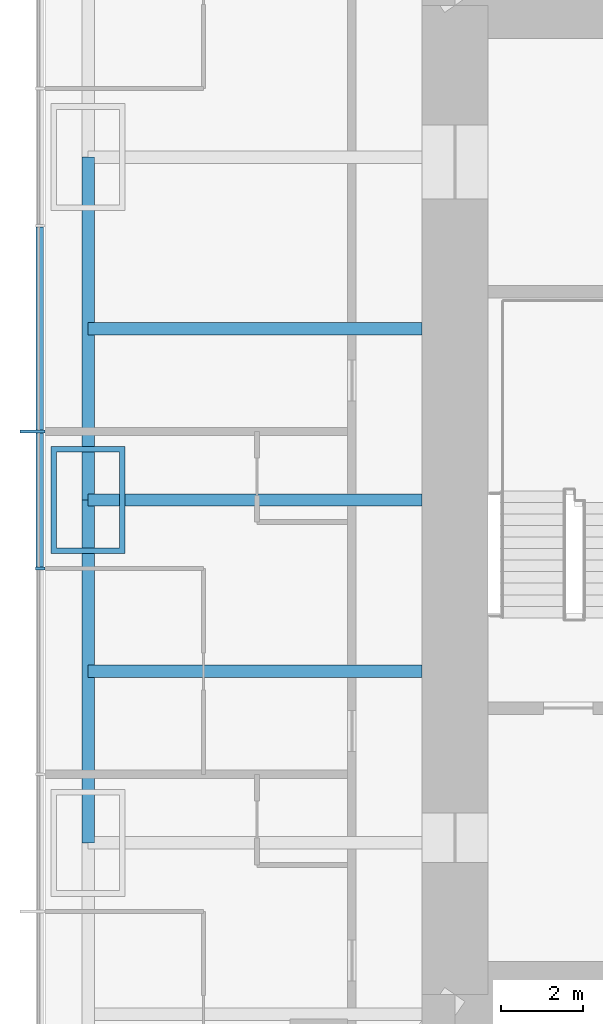
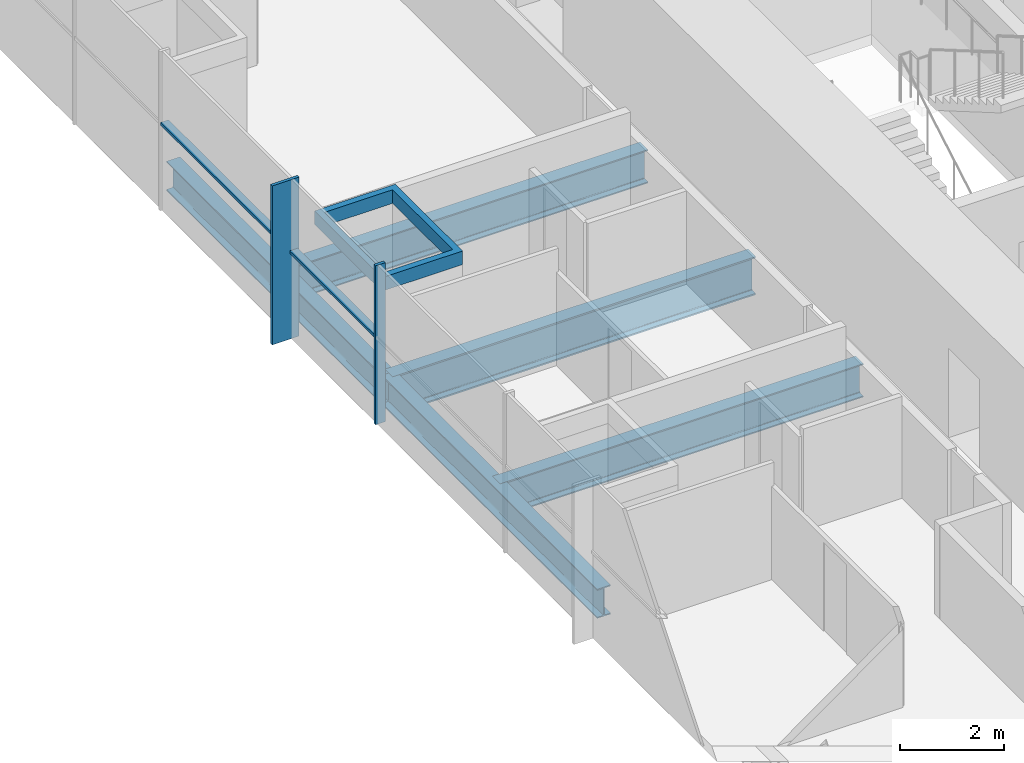
# One storey, part 3 of 13: 5 beams, 5 members, 1 element without a shape of its own.
"""IFC4 building model written with IfcOpenShell, lengths in metres."""

from ifc_helpers import new_model, si_unit, direction, frame, origin, origin_2d, place, context, subcontext, project, spatial, rectangle, hollow_rectangle, i_section, extrude, material, material_profile, profile_set, type_object, element, aggregate, save


model = new_model("IFC4")

# Units and contexts
model_context = context("Model", 3, precision=1e-05, world=origin(), true_north=direction((0.0, 1.0)))
body_context = subcontext(model_context, "Body", "Model", "MODEL_VIEW")
ifc_project = project(units=[si_unit("LENGTHUNIT", "METRE"), si_unit("AREAUNIT", "SQUARE_METRE"), si_unit("VOLUMEUNIT", "CUBIC_METRE"), si_unit("PLANEANGLEUNIT", "RADIAN"), si_unit("MASSUNIT", "GRAM", prefix="KILO")], contexts=[model_context])

# Site, building, storey
site_placement = place(None, origin())
site = spatial("IfcSite", under=ifc_project, at=site_placement, CompositionType="ELEMENT")
building_placement = place(site_placement, origin())
building = spatial("IfcBuilding", under=site, at=building_placement, Name="Khuree Lantern Residences", CompositionType="ELEMENT")
storey_placement = place(building_placement, frame((0.0, 0.0, 274.5)))
storey = spatial("IfcBuildingStorey", under=building, at=storey_placement, Name="L69", CompositionType="ELEMENT", Elevation=274.5)

# Beams
ifc_material_1 = material(Name="Steel S355", Category="steel")
ifc_material_profile_1 = material_profile(ifc_material_1, i_section(OverallWidth=0.300048828125, OverallDepth=0.7900390625, WebThickness=0.014892578125, FlangeThickness=0.028076171875, FilletRadius=0.030029296875, at=origin_2d()), Name="HE 800 A")
ifc_profile_set_1 = profile_set([ifc_material_profile_1], Name="Steel S355")
beam_type_1 = type_object("IfcBeamType", Name="B-35A SECONDARY BEAM HE 800 A", PredefinedType="BEAM", material=ifc_profile_set_1)
for number, where, z_axis, x_axis, name in (
    (1, (-24.39990234375, -4.159912109375, -0.64501953125), (1.0, 0.0, 0.0), (0.0, 1.0, 0.0), "Secondary beam W3"),
    (2, (-24.39990234375, 4.159912109375, -0.64501953125), (1.0, 0.0, 0.0), (0.0, 1.0, 0.0), "Secondary beam W4"),
):
    element("IfcBeam", number, at=place(storey_placement, frame(where, z_axis=z_axis, x_axis=x_axis)), inside=storey, type_object=beam_type_1, Name=name, PredefinedType="BEAM", context=body_context, shape_type="SweptSolid", body=[
        extrude(i_section(OverallWidth=0.300048828125, OverallDepth=0.7900390625, WebThickness=0.014892578125, FlangeThickness=0.028076171875, FilletRadius=0.030029296875, at=origin_2d()), origin(), (0.0, 0.0, 1.0), 8.099853515625),
    ])
ifc_material_profile_2 = material_profile(ifc_material_1, i_section(OverallWidth=0.300048828125, OverallDepth=0.68994140625, WebThickness=0.014404296875, FlangeThickness=0.027099609375, FilletRadius=0.027099609375, at=origin_2d()), Name="HE 700 A")
ifc_profile_set_2 = profile_set([ifc_material_profile_2], Name="Steel S355")
beam_type_2 = type_object("IfcBeamType", Name="E-35A SPANDREL BEAM HE 700 A", PredefinedType="SPANDREL", material=ifc_profile_set_2)
for number, where, z_axis, x_axis, name in (
    (3, (-24.39990234375, -8.320068359375, -0.594970703125), (0.0, 1.0, 0.0), (-1.0, 0.0, 0.0), "Spandrel beam W3"),
    (4, (-24.39990234375, 0.0, -0.594970703125), (0.0, 1.0, 0.0), (-1.0, 0.0, 0.0), "Spandrel beam W4"),
):
    element("IfcBeam", number, at=place(storey_placement, frame(where, z_axis=z_axis, x_axis=x_axis)), inside=storey, type_object=beam_type_2, Name=name, PredefinedType="SPANDREL", context=body_context, shape_type="SweptSolid", body=[
        extrude(i_section(OverallWidth=0.300048828125, OverallDepth=0.68994140625, WebThickness=0.014404296875, FlangeThickness=0.027099609375, FilletRadius=0.027099609375, at=origin_2d()), origin(), (0.0, 0.0, 1.0), 8.320068359375),
    ])

# Curtain wall, member
ifc_material_2 = material(Name="Bronze anodised aluminium", Category="aluminium")
curtain_wall_type = type_object("IfcCurtainWallType", Name="CW-T1 TOWER FACE CURTAIN WALL", PredefinedType="USERDEFINED", material=ifc_material_2)
curtain_wall_placement = place(storey_placement, origin())
curtain_wall = element("IfcCurtainWall", 5, at=curtain_wall_placement, inside=storey, type_object=curtain_wall_type, Name="L69 WEST FACE CURTAIN WALL", ObjectType="Stick-built curtain wall", PredefinedType="USERDEFINED")
ifc_material_profile_3 = material_profile(ifc_material_2, rectangle(XDim=0.06494140625, YDim=0.60009765625, at=origin_2d()), Name="F1 65X600")
ifc_profile_set_3 = profile_set([ifc_material_profile_3], Name="Bronze anodised aluminium")
member_type_1 = type_object("IfcMemberType", Name="F1 BRONZE FIN MULLION TOWER 65X600", PredefinedType="MULLION", material=ifc_profile_set_3)
member_1_placement = place(storey_placement, frame((-25.75, 1.6640625, 0.0), z_axis=(0.0, 0.0, 1.0), x_axis=(0.0, -1.0, 0.0)))
member_1 = element("IfcMember", 6, at=member_1_placement, type_object=member_type_1, Name="L69 WEST FACE FIN MULLION 37", PredefinedType="MULLION", context=body_context, shape_type="SweptSolid", body=[
    extrude(rectangle(XDim=0.06494140625, YDim=0.60009765625, at=origin_2d()), origin(), (0.0, 0.0, 1.0), 3.75),
])

# Beam
ifc_material_profile_4 = material_profile(ifc_material_1, i_section(OverallWidth=0.300048828125, OverallDepth=0.89990234375, WebThickness=0.0185546875, FlangeThickness=0.034912109375, FilletRadius=0.030029296875, at=origin_2d()), Name="HE 900 B")
ifc_profile_set_4 = profile_set([ifc_material_profile_4], Name="Steel S355")
beam_type_3 = type_object("IfcBeamType", Name="G-35 GIRDER HE 900 B", PredefinedType="BEAM", material=ifc_profile_set_4)
beam_placement = place(storey_placement, frame((-24.39990234375, 0.0, -0.699951171875), z_axis=(1.0, 0.0, 0.0), x_axis=(0.0, 1.0, 0.0)))
element("IfcBeam", 7, at=beam_placement, inside=storey, type_object=beam_type_3, Name="Girder W3", PredefinedType="BEAM", context=body_context, shape_type="SweptSolid", body=[
    extrude(i_section(OverallWidth=0.300048828125, OverallDepth=0.89990234375, WebThickness=0.0185546875, FlangeThickness=0.034912109375, FilletRadius=0.030029296875, at=origin_2d()), origin(), (0.0, 0.0, 1.0), 8.099853515625),
])

# Member
ifc_material_profile_5 = material_profile(ifc_material_2, rectangle(XDim=0.06494140625, YDim=0.219970703125, at=origin_2d()), Name="M1 65X220")
ifc_profile_set_5 = profile_set([ifc_material_profile_5], Name="Bronze anodised aluminium")
member_type_2 = type_object("IfcMemberType", Name="M1 BRONZE MULLION TOWER 65X220", PredefinedType="MULLION", material=ifc_profile_set_5)
member_2_placement = place(storey_placement, frame((-25.56005859375, -1.6640625, 0.0), z_axis=(0.0, 0.0, 1.0), x_axis=(0.0, -1.0, 0.0)))
member_2 = element("IfcMember", 8, at=member_2_placement, type_object=member_type_2, Name="L69 WEST FACE MULLION 38", PredefinedType="MULLION", context=body_context, shape_type="SweptSolid", body=[
    extrude(rectangle(XDim=0.06494140625, YDim=0.219970703125, at=origin_2d()), origin(), (0.0, 0.0, 1.0), 3.75),
])

ifc_material_3 = material(Name="Steel S355 CFT welded box", Category="steel")
ifc_material_profile_6 = material_profile(ifc_material_3, hollow_rectangle(XDim=2.60009765625, YDim=1.800048828125, WallThickness=0.139892578125, at=origin_2d()), Name="WELDED BOX 2600X1800X140")
ifc_profile_set_6 = profile_set([ifc_material_profile_6], Name="Steel S355 CFT welded box")
member_type_3 = type_object("IfcMemberType", Name="MNB MEGA COLUMN NODE WELDED BOX 2600X1800X140", PredefinedType="MEMBER", material=ifc_profile_set_6)
member_3_placement = place(storey_placement, frame((-24.39990234375, 0.0, 2.780029296875), z_axis=(0.0, 0.0, 1.0), x_axis=(0.0, 1.0, 0.0)))
element("IfcMember", 9, at=member_3_placement, inside=storey, type_object=member_type_3, Name="Mega column node W3", PredefinedType="MEMBER", context=body_context, shape_type="SweptSolid", body=[
    extrude(hollow_rectangle(XDim=2.60009765625, YDim=1.800048828125, WallThickness=0.139892578125, at=origin_2d()), origin(), (0.0, 0.0, 1.0), 0.320068359375),
])

ifc_material_profile_7 = material_profile(ifc_material_2, rectangle(XDim=0.179931640625, YDim=0.06494140625, at=origin_2d()), Name="T1 180X65")
ifc_profile_set_7 = profile_set([ifc_material_profile_7], Name="Bronze anodised aluminium")
member_type_4 = type_object("IfcMemberType", Name="TRANSOM T1 TOWER 180X65", PredefinedType="USERDEFINED", material=ifc_profile_set_7)
member_4_placement = place(storey_placement, frame((-25.570068359375, 6.62353515625, 2.050048828125), z_axis=(0.0, -1.0, 0.0), x_axis=(1.0, 0.0, 0.0)))
member_4 = element("IfcMember", 10, at=member_4_placement, type_object=member_type_4, Name="L69 WEST FACE TRANSOM 36.1", ObjectType="Transom", PredefinedType="USERDEFINED", context=body_context, shape_type="SweptSolid", body=[
    extrude(rectangle(XDim=0.179931640625, YDim=0.06494140625, at=origin_2d()), origin(), (0.0, 0.0, 1.0), 4.927001953125),
])

member_5_placement = place(storey_placement, frame((-25.570068359375, 1.631591796875, 2.050048828125), z_axis=(0.0, -1.0, 0.0), x_axis=(1.0, 0.0, 0.0)))
member_5 = element("IfcMember", 11, at=member_5_placement, type_object=member_type_4, Name="L69 WEST FACE TRANSOM 37.1", ObjectType="Transom", PredefinedType="USERDEFINED", context=body_context, shape_type="SweptSolid", body=[
    extrude(rectangle(XDim=0.179931640625, YDim=0.06494140625, at=origin_2d()), origin(), (0.0, 0.0, 1.0), 3.26318359375),
])

aggregate(curtain_wall, [member_1, member_2, member_4, member_5])

save(model, "model.ifc")
